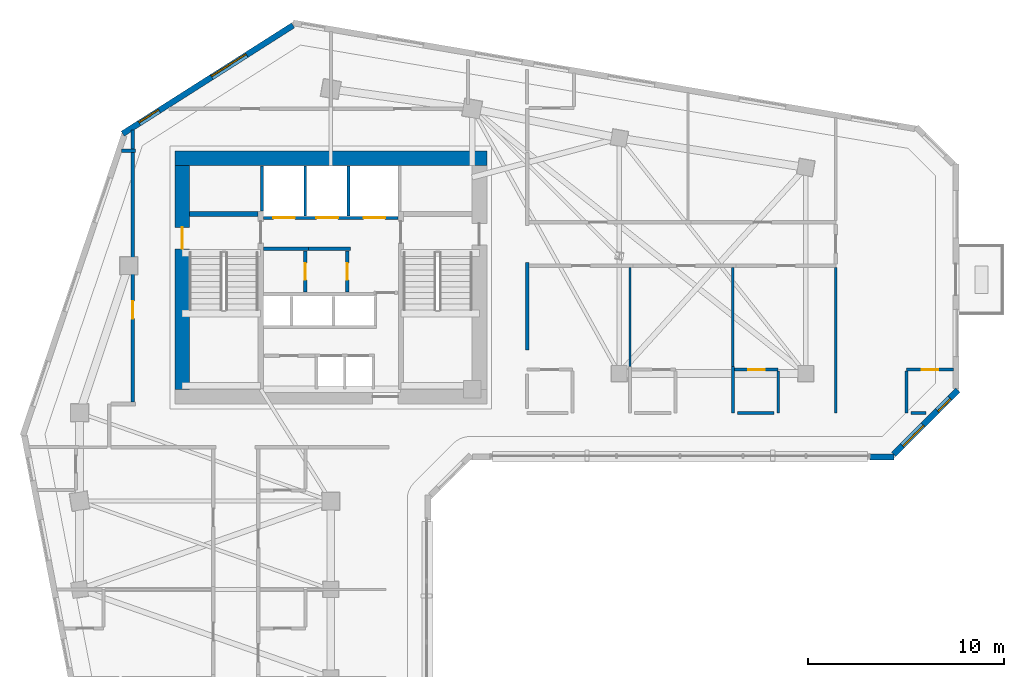
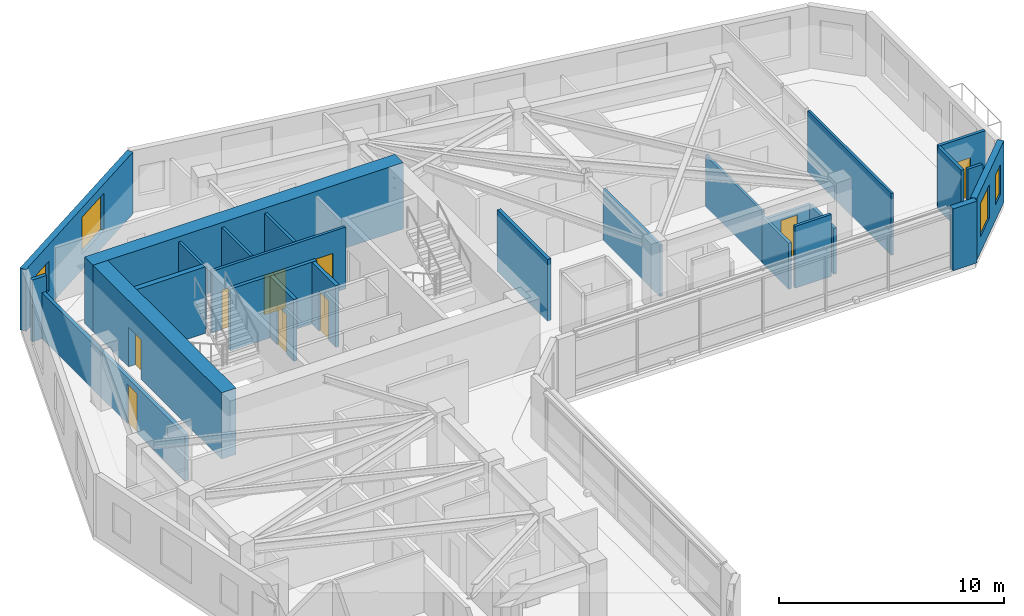
# One storey, part 7 of 14: 27 walls, 9 doors, 4 windows, 13 openings.
"""IFC4 building model written with IfcOpenShell, lengths in metres."""

from ifc_helpers import new_model, si_unit, direction, frame, frame_2d, origin, place, context, subcontext, project, spatial, rectangle, extrude, source, transform, mapped, material, layer, layer_set, type_object, element, fill, save


model = new_model("IFC4")

# Units and contexts
model_context = context("Model", 3, precision=1e-05, world=origin(), true_north=direction((0.0, 1.0)))
body_context = subcontext(model_context, "Body", "Model", "MODEL_VIEW")
ifc_project = project(units=[si_unit("LENGTHUNIT", "METRE"), si_unit("AREAUNIT", "SQUARE_METRE"), si_unit("VOLUMEUNIT", "CUBIC_METRE"), si_unit("PLANEANGLEUNIT", "RADIAN"), si_unit("MASSUNIT", "GRAM", prefix="KILO")], contexts=[model_context])

# Site, building, storey
site_placement = place(None, origin())
site = spatial("IfcSite", under=ifc_project, at=site_placement, CompositionType="ELEMENT")
building_placement = place(site_placement, origin())
building = spatial("IfcBuilding", under=site, at=building_placement, Name="Calvemar Wedge Station Tower", CompositionType="ELEMENT")
storey_placement = place(building_placement, frame((0.0, 0.0, 125.0)))
storey = spatial("IfcBuildingStorey", under=building, at=storey_placement, Name="L30", CompositionType="ELEMENT", Elevation=125.0)

# Walls
ifc_material_1 = material(Name="Concrete C50", Category="concrete")
ifc_layer_1 = layer(ifc_material_1, 0.260009765625)
ifc_layer_set_1 = layer_set([ifc_layer_1], Name="Concrete C50")
wall_type_1 = type_object("IfcWallType", Name="SW-CORE-260", PredefinedType="SHEAR", material=ifc_layer_set_1)
wall_1_placement = place(storey_placement, frame((16.60009765625, 43.1298828125, 0.0), z_axis=(0.0, 0.0, 1.0), x_axis=(1.0, 0.0, 0.0)))
element("IfcWall", 1, at=wall_1_placement, inside=storey, type_object=wall_type_1, Name="Storey L30 Core Shear Wall STC1-N", PredefinedType="SHEAR", context=body_context, shape_type="SweptSolid", body=[
    extrude(rectangle(XDim=3.5, YDim=0.260009765625, at=frame_2d((1.75, 0.0))), origin(), (0.0, 0.0, 1.0), 3.60009765625),
])
ifc_material_2 = material(Name="Concrete C70", Category="concrete")
ifc_layer_2 = layer(ifc_material_2, 0.75)
ifc_layer_set_2 = layer_set([ifc_layer_2], Name="Concrete C70")
wall_type_2 = type_object("IfcWallType", Name="SW-CORE-750", PredefinedType="SHEAR", material=ifc_layer_set_2)
wall_2_placement = place(storey_placement, frame((15.85009765625, 45.97509765625, 0.0), z_axis=(0.0, 0.0, 1.0), x_axis=(1.0, 0.0, 0.0)))
element("IfcWall", 2, at=wall_2_placement, inside=storey, type_object=wall_type_2, Name="Storey L30 Core Shear Wall N", PredefinedType="SHEAR", context=body_context, shape_type="SweptSolid", body=[
    extrude(rectangle(XDim=15.89990234375, YDim=0.75, at=frame_2d((7.949951171875, 0.0))), origin(), (0.0, 0.0, 1.0), 3.60009765625),
])

# Wall, opening, door
wall_3_placement = place(storey_placement, frame((16.22509765625, 34.199951171875, 0.0), z_axis=(0.0, 0.0, 1.0), x_axis=(0.0, 1.0, 0.0)))
wall_3 = element("IfcWall", 3, at=wall_3_placement, inside=storey, type_object=wall_type_2, Name="Storey L30 Core Shear Wall W", PredefinedType="SHEAR", context=body_context, shape_type="SweptSolid", body=[
    extrude(rectangle(XDim=11.400146484375, YDim=0.75, at=frame_2d((5.7001953125, 0.0))), origin(), (0.0, 0.0, 1.0), 3.60009765625),
])
shared_shape_1 = source(origin(), body_context, "Body", "SweptSolid", [
    extrude(rectangle(XDim=1.10009765625, YDim=2.14990234375, at=frame_2d((0.550048828125, 1.074951171875))), frame((0.0, 0.385009765625, 0.0), z_axis=(0.0, -1.0, 0.0), x_axis=(1.0, 0.0, 0.0)), (0.0, 0.0, 1.0), 0.77001953125),
])
opening_1_placement = place(wall_3_placement, frame((7.14990234375, 0.0, 0.0)))
opening_1 = element("IfcOpeningElement", 4, at=opening_1_placement, cuts=wall_3, Name="Opening FD-90", PredefinedType="OPENING", context=body_context, shape_type="MappedRepresentation", body=[
    mapped(shared_shape_1, transform((0.0, 0.0, 0.0), scale=1.0)),
])
ifc_material_3 = material(Name="Galvanized fire-rated steel door leaf P-90", Category="steel")
door_type_1 = type_object("IfcDoorType", Name="DR-FD90-1100", OperationType="NOTDEFINED", PredefinedType="DOOR", material=ifc_material_3)
shared_shape_2 = source(origin(), body_context, "Body", "SweptSolid", [
    extrude(rectangle(XDim=1.10009765625, YDim=2.14990234375, at=frame_2d((0.550048828125, 1.074951171875))), frame((0.0, 0.02490234375, 0.0), z_axis=(0.0, -1.0, 0.0), x_axis=(1.0, 0.0, 0.0)), (0.0, 0.0, 1.0), 0.050048828125),
])
door_1_placement = place(opening_1_placement, origin())
door_1 = element("IfcDoor", 5, at=door_1_placement, inside=storey, type_object=door_type_1, Name="L30 West Corridor to Exit Stair ST-C1 Door", OperationType="SINGLE_SWING_RIGHT", OverallHeight=2.14990234375, OverallWidth=1.10009765625, PredefinedType="DOOR", context=body_context, shape_type="MappedRepresentation", body=[
    mapped(shared_shape_2, transform((0.0, 0.0, 0.0), scale=1.0)),
])
fill(opening_1, door_1)

# Walls
ifc_material_4 = material(Name="Double-stud fire-rated corridor partition")
ifc_layer_3 = layer(ifc_material_4, 0.179931640625)
ifc_layer_set_3 = layer_set([ifc_layer_3], Name="Double-stud fire-rated corridor partition")
wall_type_3 = type_object("IfcWallType", Name="W-CORR-180", PredefinedType="PARTITIONING", material=ifc_layer_set_3)
wall_4_placement = place(storey_placement, frame((22.659912109375, 41.35009765625, 0.0), z_axis=(0.0, 0.0, 1.0), x_axis=(-1.0, 0.0, 0.0)))
element("IfcWall", 6, at=wall_4_placement, inside=storey, type_object=wall_type_3, Name="Storey L30 Interior Partition WL-L30-001", PredefinedType="PARTITIONING", context=body_context, shape_type="SweptSolid", body=[
    extrude(rectangle(XDim=2.280029296875, YDim=0.179931640625, at=frame_2d((1.14013671875, 0.0))), origin(), (0.0, 0.0, 1.0), 3.35009765625),
])
wall_5_placement = place(storey_placement, frame((24.81005859375, 41.35009765625, 0.0), z_axis=(0.0, 0.0, 1.0), x_axis=(-1.0, 0.0, 0.0)))
element("IfcWall", 7, at=wall_5_placement, inside=storey, type_object=wall_type_3, Name="Storey L30 Interior Partition WL-L30-002", PredefinedType="PARTITIONING", context=body_context, shape_type="SweptSolid", body=[
    extrude(rectangle(XDim=2.14794921875, YDim=0.179931640625, at=frame_2d((1.073974609375, 0.0))), origin(), (0.0, 0.0, 1.0), 3.35009765625),
])

# Wall, opening, door
wall_6_placement = place(storey_placement, frame((22.5, 41.256103515625, 0.0), z_axis=(0.0, 0.0, 1.0), x_axis=(0.0, -1.0, 0.0)))
wall_6 = element("IfcWall", 8, at=wall_6_placement, inside=storey, type_object=wall_type_3, Name="Storey L30 Interior Partition WL-L30-003", PredefinedType="PARTITIONING", context=body_context, shape_type="SweptSolid", body=[
    extrude(rectangle(XDim=2.106201171875, YDim=0.179931640625, at=frame_2d((1.05322265625, 0.0))), origin(), (0.0, 0.0, 1.0), 3.35009765625),
])
shared_shape_3 = source(origin(), body_context, "Body", "SweptSolid", [
    extrude(rectangle(XDim=0.85009765625, YDim=2.14990234375, at=frame_2d((0.425048828125, 1.074951171875))), frame((0.0, 0.10009765625, 0.0), z_axis=(0.0, -1.0, 0.0), x_axis=(1.0, 0.0, 0.0)), (0.0, 0.0, 1.0), 0.199951171875),
])
opening_2_placement = place(wall_6_placement, frame((0.6279296875, 0.0, 0.0)))
opening_2 = element("IfcOpeningElement", 9, at=opening_2_placement, cuts=wall_6, Name="Opening FD-60S", PredefinedType="OPENING", context=body_context, shape_type="MappedRepresentation", body=[
    mapped(shared_shape_3, transform((0.0, 0.0, 0.0), scale=1.0)),
])
ifc_material_5 = material(Name="Fire-rated steel and hardwood service door EI 60", Category="steel")
door_type_2 = type_object("IfcDoorType", Name="DR-CORE-FD60-850", OperationType="NOTDEFINED", PredefinedType="DOOR", material=ifc_material_5)
shared_shape_4 = source(origin(), body_context, "Body", "SweptSolid", [
    extrude(rectangle(XDim=0.85009765625, YDim=2.14990234375, at=frame_2d((0.425048828125, 1.074951171875))), frame((0.0, 0.02490234375, 0.0), z_axis=(0.0, -1.0, 0.0), x_axis=(1.0, 0.0, 0.0)), (0.0, 0.0, 1.0), 0.050048828125),
])
door_2_placement = place(opening_2_placement, origin())
door_2 = element("IfcDoor", 10, at=door_2_placement, inside=storey, type_object=door_type_2, Name="L30 IT and Telecoms Room Door", OperationType="SINGLE_SWING_RIGHT", OverallHeight=2.14990234375, OverallWidth=0.85009765625, PredefinedType="DOOR", context=body_context, shape_type="MappedRepresentation", body=[
    mapped(shared_shape_4, transform((0.0, 0.0, 0.0), scale=1.0)),
])
fill(opening_2, door_2)

wall_7_placement = place(storey_placement, frame((24.64990234375, 41.256103515625, 0.0), z_axis=(0.0, 0.0, 1.0), x_axis=(0.0, -1.0, 0.0)))
wall_7 = element("IfcWall", 11, at=wall_7_placement, inside=storey, type_object=wall_type_3, Name="Storey L30 Interior Partition WL-L30-004", PredefinedType="PARTITIONING", context=body_context, shape_type="SweptSolid", body=[
    extrude(rectangle(XDim=2.106201171875, YDim=0.179931640625, at=frame_2d((1.05322265625, 0.0))), origin(), (0.0, 0.0, 1.0), 3.35009765625),
])
opening_3_placement = place(wall_7_placement, frame((0.6279296875, 0.0, 0.0)))
opening_3 = element("IfcOpeningElement", 12, at=opening_3_placement, cuts=wall_7, Name="Opening FD-60S", PredefinedType="OPENING", context=body_context, shape_type="MappedRepresentation", body=[
    mapped(shared_shape_3, transform((0.0, 0.0, 0.0), scale=1.0)),
])
door_3_placement = place(opening_3_placement, origin())
door_3 = element("IfcDoor", 13, at=door_3_placement, inside=storey, type_object=door_type_2, Name="L30 Core Equipment Store Door", OperationType="SINGLE_SWING_LEFT", OverallHeight=2.14990234375, OverallWidth=0.85009765625, PredefinedType="DOOR", context=body_context, shape_type="MappedRepresentation", body=[
    mapped(shared_shape_4, transform((0.0, 0.0, 0.0), scale=1.0)),
])
fill(opening_3, door_3)

wall_8_placement = place(storey_placement, frame((13.699951171875, 33.5439453125, 0.0), z_axis=(0.0, 0.0, 1.0), x_axis=(0.0, 1.0, 0.0)))
wall_8 = element("IfcWall", 14, at=wall_8_placement, inside=storey, type_object=wall_type_3, Name="Storey L30 Interior Partition WL-L30-012", PredefinedType="PARTITIONING", context=body_context, shape_type="SweptSolid", body=[
    extrude(rectangle(XDim=13.860107421875, YDim=0.179931640625, at=frame_2d((6.93017578125, 0.0))), origin(), (0.0, 0.0, 1.0), 2.491943359375),
])
shared_shape_5 = source(origin(), body_context, "Body", "SweptSolid", [
    extrude(rectangle(XDim=0.89990234375, YDim=2.14990234375, at=frame_2d((0.449951171875, 1.074951171875))), frame((0.0, 0.10009765625, 0.0), z_axis=(0.0, -1.0, 0.0), x_axis=(1.0, 0.0, 0.0)), (0.0, 0.0, 1.0), 0.199951171875),
])
opening_4_placement = place(wall_8_placement, frame((4.252685546875, 0.0, 0.0)))
opening_4 = element("IfcOpeningElement", 15, at=opening_4_placement, cuts=wall_8, Name="Opening D-01", PredefinedType="OPENING", context=body_context, shape_type="MappedRepresentation", body=[
    mapped(shared_shape_5, transform((0.0, 0.0, 0.0), scale=1.0)),
])
ifc_material_6 = material(Name="Architectural hardwood acoustic swing door", Category="wood")
door_type_3 = type_object("IfcDoorType", Name="DR-INT-900", OperationType="NOTDEFINED", PredefinedType="DOOR", material=ifc_material_6)
shared_shape_6 = source(origin(), body_context, "Body", "SweptSolid", [
    extrude(rectangle(XDim=0.89990234375, YDim=2.14990234375, at=frame_2d((0.449951171875, 1.074951171875))), frame((0.0, 0.02490234375, 0.0), z_axis=(0.0, -1.0, 0.0), x_axis=(1.0, 0.0, 0.0)), (0.0, 0.0, 1.0), 0.050048828125),
])
door_4_placement = place(opening_4_placement, origin())
door_4 = element("IfcDoor", 16, at=door_4_placement, inside=storey, type_object=door_type_3, Name="L30 Executive Lounge Door", OperationType="SINGLE_SWING_RIGHT", OverallHeight=2.14990234375, OverallWidth=0.89990234375, PredefinedType="DOOR", context=body_context, shape_type="MappedRepresentation", body=[
    mapped(shared_shape_6, transform((0.0, 0.0, 0.0), scale=1.0)),
])
fill(opening_4, door_4)

# Walls
wall_9_placement = place(storey_placement, frame((13.860107421875, 46.35009765625, 0.0), z_axis=(0.0, 0.0, 1.0), x_axis=(-1.0, 0.0, 0.0)))
element("IfcWall", 17, at=wall_9_placement, inside=storey, type_object=wall_type_3, Name="Storey L30 Interior Partition WL-L30-013", PredefinedType="PARTITIONING", context=body_context, shape_type="SweptSolid", body=[
    extrude(rectangle(XDim=0.73486328125, YDim=0.179931640625, at=frame_2d((0.367431640625, 0.0))), origin(), (0.0, 0.0, 1.0), 3.35009765625),
])
wall_10_placement = place(storey_placement, frame((33.800048828125, 40.659912109375, 0.0), z_axis=(0.0, 0.0, 1.0), x_axis=(0.0, -1.0, 0.0)))
element("IfcWall", 18, at=wall_10_placement, inside=storey, type_object=wall_type_3, Name="Storey L30 Interior Partition WL-L30-017", PredefinedType="PARTITIONING", context=body_context, shape_type="SweptSolid", body=[
    extrude(rectangle(XDim=4.4599609375, YDim=0.179931640625, at=frame_2d((2.22998046875, 0.0))), origin(), (0.0, 0.0, 1.0), 3.35009765625),
])
ifc_material_7 = material(Name="Precast concrete C45", Category="concrete")
ifc_layer_4 = layer(ifc_material_7, 0.300048828125)
ifc_layer_set_4 = layer_set([ifc_layer_4], Name="Precast concrete C45")
wall_type_4 = type_object("IfcWallType", Name="W-EXT-GFRC-300", PredefinedType="SOLIDWALL", material=ifc_layer_set_4)
wall_11_placement = place(storey_placement, frame((51.260498046875, 30.741943359375, 0.0), z_axis=(0.0, 0.0, 1.0), x_axis=(1.0, 0.0, 0.0)))
element("IfcWall", 19, at=wall_11_placement, inside=storey, type_object=wall_type_4, Name="Storey L30 Bronze GFRC Corner Pier 6B", PredefinedType="SOLIDWALL", context=body_context, shape_type="SweptSolid", body=[
    extrude(rectangle(XDim=1.227294921875, YDim=0.300048828125, at=frame_2d((0.61376953125, 0.0))), origin(), (0.0, 0.0, 1.0), 3.35009765625),
])

# Wall, openings, windows
wall_12_placement = place(storey_placement, frame((52.475830078125, 30.8798828125, 0.0), z_axis=(0.0, 0.0, 1.0), x_axis=(0.707106781187, 0.707106781187, 0.0)))
wall_12 = element("IfcWall", 20, at=wall_12_placement, inside=storey, type_object=wall_type_4, Name="Storey L30 Bronze GFRC Exterior Wall 7", PredefinedType="SOLIDWALL", context=body_context, shape_type="SweptSolid", body=[
    extrude(rectangle(XDim=4.638916015625, YDim=0.300048828125, at=frame_2d((2.3193359375, 0.0))), origin(), (0.0, 0.0, 1.0), 3.35009765625),
])
shared_shape_7 = source(origin(), body_context, "Body", "SweptSolid", [
    extrude(rectangle(XDim=1.5, YDim=1.800048828125, at=frame_2d((0.75, 0.89990234375))), frame((0.0, 0.16015625, 0.0), z_axis=(0.0, -1.0, 0.0), x_axis=(1.0, 0.0, 0.0)), (0.0, 0.0, 1.0), 0.320068359375),
])
opening_5_placement = place(wall_12_placement, frame((0.632080078125, 0.0, 0.85009765625)))
opening_5 = element("IfcOpeningElement", 21, at=opening_5_placement, cuts=wall_12, Name="Opening W3", PredefinedType="OPENING", context=body_context, shape_type="MappedRepresentation", body=[
    mapped(shared_shape_7, transform((0.0, 0.0, 0.0), scale=1.0)),
])
shared_shape_8 = source(origin(), body_context, "Body", "SweptSolid", [
    extrude(rectangle(XDim=0.89990234375, YDim=1.60009765625, at=frame_2d((0.449951171875, 0.800048828125))), frame((0.0, 0.16015625, 0.0), z_axis=(0.0, -1.0, 0.0), x_axis=(1.0, 0.0, 0.0)), (0.0, 0.0, 1.0), 0.320068359375),
])
opening_6_placement = place(wall_12_placement, frame((3.15087890625, 0.0, 0.85009765625)))
opening_6 = element("IfcOpeningElement", 22, at=opening_6_placement, cuts=wall_12, Name="Opening W7", PredefinedType="OPENING", context=body_context, shape_type="MappedRepresentation", body=[
    mapped(shared_shape_8, transform((0.0, 0.0, 0.0), scale=1.0)),
])
ifc_material_8 = material(Name="Low-E laminated insulated glass", Category="glass")
window_type_1 = type_object("IfcWindowType", Name="WIN-EXT-3", PartitioningType="SINGLE_PANEL", PredefinedType="WINDOW", material=ifc_material_8)
shared_shape_9 = source(origin(), body_context, "Body", "SweptSolid", [
    extrude(rectangle(XDim=1.5, YDim=1.800048828125, at=frame_2d((0.75, 0.89990234375))), frame((0.0, -0.014892578125, 0.0), z_axis=(0.0, -1.0, 0.0), x_axis=(1.0, 0.0, 0.0)), (0.0, 0.0, 1.0), 0.06005859375),
])
window_1_placement = place(opening_5_placement, origin())
window_1 = element("IfcWindow", 23, at=window_1_placement, inside=storey, type_object=window_type_1, Name="Storey L30 Recessed Window 7.1", OverallHeight=1.800048828125, OverallWidth=1.5, PartitioningType="SINGLE_PANEL", PredefinedType="WINDOW", context=body_context, shape_type="MappedRepresentation", body=[
    mapped(shared_shape_9, transform((0.0, 0.0, 0.0), scale=1.0)),
])
fill(opening_5, window_1)
window_type_2 = type_object("IfcWindowType", Name="WIN-EXT-7", PartitioningType="SINGLE_PANEL", PredefinedType="WINDOW", material=ifc_material_8)
shared_shape_10 = source(origin(), body_context, "Body", "SweptSolid", [
    extrude(rectangle(XDim=0.89990234375, YDim=1.60009765625, at=frame_2d((0.449951171875, 0.800048828125))), frame((0.0, -0.014892578125, 0.0), z_axis=(0.0, -1.0, 0.0), x_axis=(1.0, 0.0, 0.0)), (0.0, 0.0, 1.0), 0.06005859375),
])
window_2_placement = place(opening_6_placement, origin())
window_2 = element("IfcWindow", 24, at=window_2_placement, inside=storey, type_object=window_type_2, Name="Storey L30 Recessed Window 7.2", OverallHeight=1.60009765625, OverallWidth=0.89990234375, PartitioningType="SINGLE_PANEL", PredefinedType="WINDOW", context=body_context, shape_type="MappedRepresentation", body=[
    mapped(shared_shape_10, transform((0.0, 0.0, 0.0), scale=1.0)),
])
fill(opening_6, window_2)

wall_13_placement = place(storey_placement, frame((21.874755859375, 52.742431640625, 0.0), z_axis=(0.0, 0.0, 1.0), x_axis=(-0.843662465249, -0.536873956092, 0.0)))
wall_13 = element("IfcWall", 25, at=wall_13_placement, inside=storey, type_object=wall_type_4, Name="Storey L30 Bronze GFRC Exterior Wall 11", PredefinedType="SOLIDWALL", context=body_context, shape_type="SweptSolid", body=[
    extrude(rectangle(XDim=10.283935546875, YDim=0.300048828125, at=frame_2d((5.14208984375, 0.0))), origin(), (0.0, 0.0, 1.0), 3.35009765625),
])
shared_shape_11 = source(origin(), body_context, "Body", "SweptSolid", [
    extrude(rectangle(XDim=2.10009765625, YDim=2.0, at=frame_2d((1.050048828125, 1.0))), frame((0.0, 0.16015625, 0.0), z_axis=(0.0, -1.0, 0.0), x_axis=(1.0, 0.0, 0.0)), (0.0, 0.0, 1.0), 0.320068359375),
])
opening_7_placement = place(wall_13_placement, frame((2.805908203125, 0.0, 0.85009765625)))
opening_7 = element("IfcOpeningElement", 26, at=opening_7_placement, cuts=wall_13, Name="Opening W4", PredefinedType="OPENING", context=body_context, shape_type="MappedRepresentation", body=[
    mapped(shared_shape_11, transform((0.0, 0.0, 0.0), scale=1.0)),
])
shared_shape_12 = source(origin(), body_context, "Body", "SweptSolid", [
    extrude(rectangle(XDim=1.199951171875, YDim=1.60009765625, at=frame_2d((0.60009765625, 0.800048828125))), frame((0.0, 0.16015625, 0.0), z_axis=(0.0, -1.0, 0.0), x_axis=(1.0, 0.0, 0.0)), (0.0, 0.0, 1.0), 0.320068359375),
])
opening_8_placement = place(wall_13_placement, frame((8.0869140625, 0.0, 0.85009765625)))
opening_8 = element("IfcOpeningElement", 27, at=opening_8_placement, cuts=wall_13, Name="Opening W5", PredefinedType="OPENING", context=body_context, shape_type="MappedRepresentation", body=[
    mapped(shared_shape_12, transform((0.0, 0.0, 0.0), scale=1.0)),
])
window_type_3 = type_object("IfcWindowType", Name="WIN-EXT-4", PartitioningType="SINGLE_PANEL", PredefinedType="WINDOW", material=ifc_material_8)
shared_shape_13 = source(origin(), body_context, "Body", "SweptSolid", [
    extrude(rectangle(XDim=2.10009765625, YDim=2.0, at=frame_2d((1.050048828125, 1.0))), frame((0.0, -0.014892578125, 0.0), z_axis=(0.0, -1.0, 0.0), x_axis=(1.0, 0.0, 0.0)), (0.0, 0.0, 1.0), 0.06005859375),
])
window_3_placement = place(opening_7_placement, origin())
window_3 = element("IfcWindow", 28, at=window_3_placement, inside=storey, type_object=window_type_3, Name="Storey L30 Recessed Window 11.1", OverallHeight=2.0, OverallWidth=2.10009765625, PartitioningType="SINGLE_PANEL", PredefinedType="WINDOW", context=body_context, shape_type="MappedRepresentation", body=[
    mapped(shared_shape_13, transform((0.0, 0.0, 0.0), scale=1.0)),
])
fill(opening_7, window_3)
window_type_4 = type_object("IfcWindowType", Name="WIN-EXT-5", PartitioningType="SINGLE_PANEL", PredefinedType="WINDOW", material=ifc_material_8)
shared_shape_14 = source(origin(), body_context, "Body", "SweptSolid", [
    extrude(rectangle(XDim=1.199951171875, YDim=1.60009765625, at=frame_2d((0.60009765625, 0.800048828125))), frame((0.0, -0.014892578125, 0.0), z_axis=(0.0, -1.0, 0.0), x_axis=(1.0, 0.0, 0.0)), (0.0, 0.0, 1.0), 0.06005859375),
])
window_4_placement = place(opening_8_placement, origin())
window_4 = element("IfcWindow", 29, at=window_4_placement, inside=storey, type_object=window_type_4, Name="Storey L30 Recessed Window 11.2", OverallHeight=1.60009765625, OverallWidth=1.199951171875, PartitioningType="SINGLE_PANEL", PredefinedType="WINDOW", context=body_context, shape_type="MappedRepresentation", body=[
    mapped(shared_shape_14, transform((0.0, 0.0, 0.0), scale=1.0)),
])
fill(opening_8, window_4)

# Wall, openings, doors
ifc_material_9 = material(Name="Reinforced concrete blockwork lift shaft wall", Category="masonry")
ifc_layer_5 = layer(ifc_material_9, 0.139892578125)
ifc_layer_set_5 = layer_set([ifc_layer_5], Name="Reinforced concrete blockwork lift shaft wall")
wall_type_5 = type_object("IfcWallType", Name="W-LIFT-160", PredefinedType="SOLIDWALL", material=ifc_layer_set_5)
wall_14_placement = place(storey_placement, frame((20.3701171875, 42.929931640625, 0.0), z_axis=(0.0, 0.0, 1.0), x_axis=(1.0, 0.0, 0.0)))
wall_14 = element("IfcWall", 30, at=wall_14_placement, inside=storey, type_object=wall_type_5, Name="Storey L30 Firefighting and Service Lift Shaft Front Wall", PredefinedType="SOLIDWALL", context=body_context, shape_type="SweptSolid", body=[
    extrude(rectangle(XDim=6.85986328125, YDim=0.139892578125, at=frame_2d((3.429931640625, 0.0))), origin(), (0.0, 0.0, 1.0), 3.35009765625),
])
shared_shape_15 = source(origin(), body_context, "Body", "SweptSolid", [
    extrude(rectangle(XDim=1.10009765625, YDim=2.14990234375, at=frame_2d((0.550048828125, 1.074951171875))), frame((0.0, 0.080078125, 0.0), z_axis=(0.0, -1.0, 0.0), x_axis=(1.0, 0.0, 0.0)), (0.0, 0.0, 1.0), 0.159912109375),
])
opening_9_placement = place(wall_14_placement, frame((0.5, 0.0, 0.0)))
opening_9 = element("IfcOpeningElement", 31, at=opening_9_placement, cuts=wall_14, Name="Opening LD-FF", PredefinedType="OPENING", context=body_context, shape_type="MappedRepresentation", body=[
    mapped(shared_shape_15, transform((0.0, 0.0, 0.0), scale=1.0)),
])
opening_10_placement = place(wall_14_placement, frame((2.699951171875, 0.0, 0.0)))
opening_10 = element("IfcOpeningElement", 32, at=opening_10_placement, cuts=wall_14, Name="Opening LD-FF", PredefinedType="OPENING", context=body_context, shape_type="MappedRepresentation", body=[
    mapped(shared_shape_15, transform((0.0, 0.0, 0.0), scale=1.0)),
])
opening_11_placement = place(wall_14_placement, frame((5.10009765625, 0.0, 0.0)))
opening_11 = element("IfcOpeningElement", 33, at=opening_11_placement, cuts=wall_14, Name="Opening LD-STN", PredefinedType="OPENING", context=body_context, shape_type="MappedRepresentation", body=[
    mapped(shared_shape_15, transform((0.0, 0.0, 0.0), scale=1.0)),
])
ifc_material_10 = material(Name="Stainless steel firefighting lift sliding landing door", Category="steel")
door_type_4 = type_object("IfcDoorType", Name="DR-LD-FF-1100", OperationType="SLIDING_TO_LEFT", PredefinedType="DOOR", material=ifc_material_10)
shared_shape_16 = source(origin(), body_context, "Body", "SweptSolid", [
    extrude(rectangle(XDim=1.10009765625, YDim=2.14990234375, at=frame_2d((0.550048828125, 1.074951171875))), frame((0.0, 0.02490234375, 0.0), z_axis=(0.0, -1.0, 0.0), x_axis=(1.0, 0.0, 0.0)), (0.0, 0.0, 1.0), 0.050048828125),
])
door_5_placement = place(opening_9_placement, origin())
door_5 = element("IfcDoor", 34, at=door_5_placement, inside=storey, type_object=door_type_4, Name="L30 Lift FF-01 Sliding Landing Door", OperationType="SLIDING_TO_LEFT", OverallHeight=2.14990234375, OverallWidth=1.10009765625, PredefinedType="DOOR", context=body_context, shape_type="MappedRepresentation", body=[
    mapped(shared_shape_16, transform((0.0, 0.0, 0.0), scale=1.0)),
])
fill(opening_9, door_5)
door_6_placement = place(opening_10_placement, origin())
door_6 = element("IfcDoor", 35, at=door_6_placement, inside=storey, type_object=door_type_4, Name="L30 Lift FF-02 Sliding Landing Door", OperationType="SLIDING_TO_RIGHT", OverallHeight=2.14990234375, OverallWidth=1.10009765625, PredefinedType="DOOR", context=body_context, shape_type="MappedRepresentation", body=[
    mapped(shared_shape_16, transform((0.0, 0.0, 0.0), scale=1.0)),
])
fill(opening_10, door_6)
ifc_material_11 = material(Name="Stainless steel transit lift sliding landing door", Category="steel")
door_type_5 = type_object("IfcDoorType", Name="DR-LD-PAX-1100", OperationType="SLIDING_TO_LEFT", PredefinedType="DOOR", material=ifc_material_11)
shared_shape_17 = source(origin(), body_context, "Body", "SweptSolid", [
    extrude(rectangle(XDim=1.10009765625, YDim=2.14990234375, at=frame_2d((0.550048828125, 1.074951171875))), frame((0.0, 0.02490234375, 0.0), z_axis=(0.0, -1.0, 0.0), x_axis=(1.0, 0.0, 0.0)), (0.0, 0.0, 1.0), 0.050048828125),
])
door_7_placement = place(opening_11_placement, origin())
door_7 = element("IfcDoor", 36, at=door_7_placement, inside=storey, type_object=door_type_5, Name="L30 Lift SV-01 Sliding Landing Door", OperationType="SLIDING_TO_LEFT", OverallHeight=2.14990234375, OverallWidth=1.10009765625, PredefinedType="DOOR", context=body_context, shape_type="MappedRepresentation", body=[
    mapped(shared_shape_17, transform((0.0, 0.0, 0.0), scale=1.0)),
])
fill(opening_11, door_7)

# Walls
wall_15_placement = place(storey_placement, frame((20.2900390625, 43.280029296875, 0.0), z_axis=(0.0, 0.0, 1.0), x_axis=(0.0, 1.0, 0.0)))
element("IfcWall", 37, at=wall_15_placement, inside=storey, type_object=wall_type_5, Name="Storey L30 Firefighting Lift Shaft Enclosure Wall W", PredefinedType="SOLIDWALL", context=body_context, shape_type="SweptSolid", body=[
    extrude(rectangle(XDim=2.300048828125, YDim=0.139892578125, at=frame_2d((1.14990234375, 0.0))), origin(), (0.0, 0.0, 1.0), 3.35009765625),
])
for number, where, z_axis, x_axis, name in (
    (38, (22.5, 43.02001953125, 0.0), (0.0, 0.0, 1.0), (0.0, 1.0, 0.0), "Storey L30 Firefighting Lift Shaft Enclosure Wall D1"),
    (39, (24.699951171875, 43.02001953125, 0.0), (0.0, 0.0, 1.0), (0.0, 1.0, 0.0), "Storey L30 Firefighting Lift Shaft Enclosure Wall D2"),
):
    element("IfcWall", number, at=place(storey_placement, frame(where, z_axis=z_axis, x_axis=x_axis)), inside=storey, type_object=wall_type_5, Name=name, PredefinedType="SOLIDWALL", context=body_context, shape_type="SweptSolid", body=[
        extrude(rectangle(XDim=2.56005859375, YDim=0.139892578125, at=frame_2d((1.280029296875, 0.0))), origin(), (0.0, 0.0, 1.0), 3.35009765625),
    ])
ifc_material_12 = material(Name="Insulated acoustic gypsum stud partition")
ifc_layer_6 = layer(ifc_material_12, 0.125)
ifc_layer_set_6 = layer_set([ifc_layer_6], Name="Insulated acoustic gypsum stud partition")
wall_type_6 = type_object("IfcWallType", Name="W-PART-125", PredefinedType="PARTITIONING", material=ifc_layer_set_6)
for number, where, z_axis, x_axis, name in (
    (40, (39.044921875, 40.406005859375, 0.0), (0.0, 0.0, 1.0), (0.0, -1.0, 0.0), "Storey L30 Interior Partition WL-L30-031"),
    (41, (44.2900390625, 40.406005859375, 0.0), (0.0, 0.0, 1.0), (0.0, -1.0, 0.0), "Storey L30 Interior Partition WL-L30-035"),
):
    element("IfcWall", number, at=place(storey_placement, frame(where, z_axis=z_axis, x_axis=x_axis)), inside=storey, type_object=wall_type_6, Name=name, PredefinedType="PARTITIONING", context=body_context, shape_type="SweptSolid", body=[
        extrude(rectangle(XDim=5.0439453125, YDim=0.125, at=frame_2d((2.52197265625, 0.0))), origin(), (0.0, 0.0, 1.0), 2.7880859375),
    ])
wall_16_placement = place(storey_placement, frame((49.534912109375, 40.406005859375, 0.0), z_axis=(0.0, 0.0, 1.0), x_axis=(0.0, -1.0, 0.0)))
element("IfcWall", 42, at=wall_16_placement, inside=storey, type_object=wall_type_6, Name="Storey L30 Interior Partition WL-L30-038", PredefinedType="PARTITIONING", context=body_context, shape_type="SweptSolid", body=[
    extrude(rectangle(XDim=7.406005859375, YDim=0.125, at=frame_2d((3.703125, 0.0))), origin(), (0.0, 0.0, 1.0), 3.35009765625),
])
ifc_material_13 = material(Name="Moisture-resistant acoustic bathroom partition")
ifc_layer_7 = layer(ifc_material_13, 0.14990234375)
ifc_layer_set_7 = layer_set([ifc_layer_7], Name="Moisture-resistant acoustic bathroom partition")
wall_type_7 = type_object("IfcWallType", Name="W-WET-150", PredefinedType="PARTITIONING", material=ifc_layer_set_7)
wall_17_placement = place(storey_placement, frame((44.2900390625, 35.360107421875, 0.0), z_axis=(0.0, 0.0, 1.0), x_axis=(0.0, -1.0, 0.0)))
element("IfcWall", 43, at=wall_17_placement, inside=storey, type_object=wall_type_7, Name="Storey L30 Interior Partition WL-L30-034", PredefinedType="PARTITIONING", context=body_context, shape_type="SweptSolid", body=[
    extrude(rectangle(XDim=2.360107421875, YDim=0.14990234375, at=frame_2d((1.18017578125, 0.0))), origin(), (0.0, 0.0, 1.0), 2.491943359375),
])

# Wall, opening, door
wall_18_placement = place(storey_placement, frame((44.368896484375, 35.199951171875, 0.0), z_axis=(0.0, 0.0, 1.0), x_axis=(1.0, 0.0, 0.0)))
wall_18 = element("IfcWall", 44, at=wall_18_placement, inside=storey, type_object=wall_type_7, Name="Storey L30 Interior Partition WL-L30-036", PredefinedType="PARTITIONING", context=body_context, shape_type="SweptSolid", body=[
    extrude(rectangle(XDim=2.22900390625, YDim=0.14990234375, at=frame_2d((1.114501953125, 0.0))), origin(), (0.0, 0.0, 1.0), 2.491943359375),
])
shared_shape_18 = source(origin(), body_context, "Body", "SweptSolid", [
    extrude(rectangle(XDim=0.85009765625, YDim=2.14990234375, at=frame_2d((0.425048828125, 1.074951171875))), frame((0.0, 0.0849609375, 0.0), z_axis=(0.0, -1.0, 0.0), x_axis=(1.0, 0.0, 0.0)), (0.0, 0.0, 1.0), 0.169921875),
])
opening_12_placement = place(wall_18_placement, frame((0.689453125, 0.0, 0.0)))
opening_12 = element("IfcOpeningElement", 45, at=opening_12_placement, cuts=wall_18, Name="Opening D-02", PredefinedType="OPENING", context=body_context, shape_type="MappedRepresentation", body=[
    mapped(shared_shape_18, transform((0.0, 0.0, 0.0), scale=1.0)),
])
ifc_material_14 = material(Name="Moisture-sealed bathroom hardwood swing door", Category="wood")
door_type_6 = type_object("IfcDoorType", Name="DR-WET-850", OperationType="NOTDEFINED", PredefinedType="DOOR", material=ifc_material_14)
shared_shape_19 = source(origin(), body_context, "Body", "SweptSolid", [
    extrude(rectangle(XDim=0.85009765625, YDim=2.14990234375, at=frame_2d((0.425048828125, 1.074951171875))), frame((0.0, 0.02490234375, 0.0), z_axis=(0.0, -1.0, 0.0), x_axis=(1.0, 0.0, 0.0)), (0.0, 0.0, 1.0), 0.050048828125),
])
door_8_placement = place(opening_12_placement, origin())
door_8 = element("IfcDoor", 46, at=door_8_placement, inside=storey, type_object=door_type_6, Name="L30 En-Suite Bathroom Door", OperationType="SINGLE_SWING_LEFT", OverallHeight=2.14990234375, OverallWidth=0.85009765625, PredefinedType="DOOR", context=body_context, shape_type="MappedRepresentation", body=[
    mapped(shared_shape_19, transform((0.0, 0.0, 0.0), scale=1.0)),
])
fill(opening_12, door_8)

# Wall
wall_19_placement = place(storey_placement, frame((46.597900390625, 35.12109375, 0.0), z_axis=(0.0, 0.0, 1.0), x_axis=(0.0, -1.0, 0.0)))
element("IfcWall", 47, at=wall_19_placement, inside=storey, type_object=wall_type_7, Name="Storey L30 Interior Partition WL-L30-037", PredefinedType="PARTITIONING", context=body_context, shape_type="SweptSolid", body=[
    extrude(rectangle(XDim=2.12109375, YDim=0.14990234375, at=frame_2d((1.060546875, 0.0))), origin(), (0.0, 0.0, 1.0), 2.491943359375),
])

# Wall, opening, door
wall_20_placement = place(storey_placement, frame((53.135009765625, 35.199951171875, 0.0), z_axis=(0.0, 0.0, 1.0), x_axis=(1.0, 0.0, 0.0)))
wall_20 = element("IfcWall", 48, at=wall_20_placement, inside=storey, type_object=wall_type_7, Name="Storey L30 Interior Partition WL-L30-043", PredefinedType="PARTITIONING", context=body_context, shape_type="SweptSolid", body=[
    extrude(rectangle(XDim=2.39990234375, YDim=0.14990234375, at=frame_2d((1.199951171875, 0.0))), origin(), (0.0, 0.0, 1.0), 3.35009765625),
])
opening_13_placement = place(wall_20_placement, frame((0.77490234375, 0.0, 0.0)))
opening_13 = element("IfcOpeningElement", 49, at=opening_13_placement, cuts=wall_20, Name="Opening D-02", PredefinedType="OPENING", context=body_context, shape_type="MappedRepresentation", body=[
    mapped(shared_shape_18, transform((0.0, 0.0, 0.0), scale=1.0)),
])
door_9_placement = place(opening_13_placement, origin())
door_9 = element("IfcDoor", 50, at=door_9_placement, inside=storey, type_object=door_type_6, Name="L30 En-Suite Bathroom Door", OperationType="SINGLE_SWING_RIGHT", OverallHeight=2.14990234375, OverallWidth=0.85009765625, PredefinedType="DOOR", context=body_context, shape_type="MappedRepresentation", body=[
    mapped(shared_shape_19, transform((0.0, 0.0, 0.0), scale=1.0)),
])
fill(opening_13, door_9)

# Walls
wall_21_placement = place(storey_placement, frame((53.135009765625, 33.0, 0.0), z_axis=(0.0, 0.0, 1.0), x_axis=(0.0, 1.0, 0.0)))
element("IfcWall", 51, at=wall_21_placement, inside=storey, type_object=wall_type_7, Name="Storey L30 Interior Partition WL-L30-044", PredefinedType="PARTITIONING", context=body_context, shape_type="SweptSolid", body=[
    extrude(rectangle(XDim=2.12109375, YDim=0.14990234375, at=frame_2d((1.060546875, 0.0))), origin(), (0.0, 0.0, 1.0), 3.35009765625),
])
wall_22_placement = place(storey_placement, frame((46.3779296875, 33.0, 0.0), z_axis=(0.0, 0.0, 1.0), x_axis=(-1.0, 0.0, 0.0)))
element("IfcWall", 52, at=wall_22_placement, inside=storey, type_object=wall_type_7, Name="Storey L30 Bathroom Enclosure Wall WL-L30-078", PredefinedType="PARTITIONING", context=body_context, shape_type="SweptSolid", body=[
    extrude(rectangle(XDim=1.867919921875, YDim=0.14990234375, at=frame_2d((0.93408203125, 0.0))), origin(), (0.0, 0.0, 1.0), 3.35009765625),
])
wall_23_placement = place(storey_placement, frame((54.1220703125, 33.0, 0.0), z_axis=(0.0, 0.0, 1.0), x_axis=(-1.0, 0.0, 0.0)))
element("IfcWall", 53, at=wall_23_placement, inside=storey, type_object=wall_type_7, Name="Storey L30 Bathroom Enclosure Wall WL-L30-080", PredefinedType="PARTITIONING", context=body_context, shape_type="SweptSolid", body=[
    extrude(rectangle(XDim=0.76708984375, YDim=0.14990234375, at=frame_2d((0.383544921875, 0.0))), origin(), (0.0, 0.0, 1.0), 3.35009765625),
])

save(model, "model.ifc")
